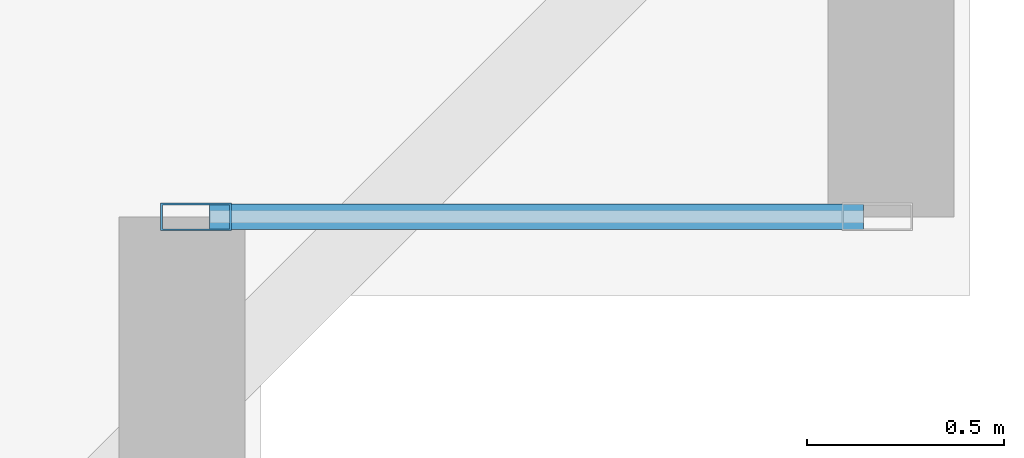
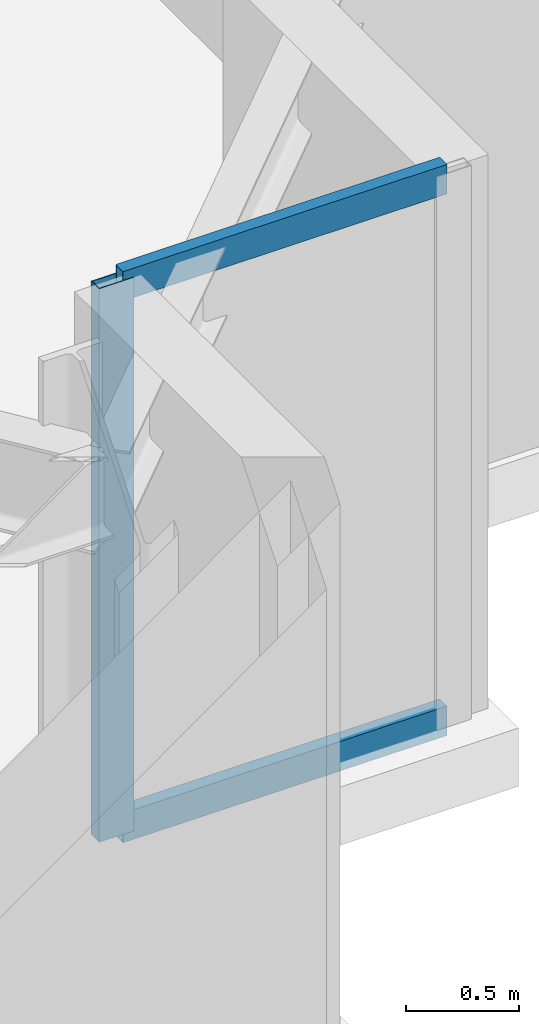
# One storey, part 6 of 20: 3 members, 1 element without a shape of its own.
"""IFC4 building model written with IfcOpenShell, lengths in metres."""

from ifc_helpers import new_model, si_unit, direction, frame, origin, origin_2d, place, context, subcontext, project, spatial, hollow_rectangle, extrude, material, layer, layer_set, material_profile, profile_set, type_object, element, aggregate, save


model = new_model("IFC4")

# Units and contexts
model_context = context("Model", 3, precision=1e-05, world=origin(), true_north=direction((0.0, 1.0)))
body_context = subcontext(model_context, "Body", "Model", "MODEL_VIEW")
ifc_project = project(units=[si_unit("LENGTHUNIT", "METRE"), si_unit("AREAUNIT", "SQUARE_METRE"), si_unit("VOLUMEUNIT", "CUBIC_METRE"), si_unit("PLANEANGLEUNIT", "RADIAN"), si_unit("MASSUNIT", "GRAM", prefix="KILO")], contexts=[model_context])

# Site, building, storey
site_placement = place(None, origin())
site = spatial("IfcSite", under=ifc_project, at=site_placement, CompositionType="ELEMENT")
building_placement = place(site_placement, origin())
building = spatial("IfcBuilding", under=site, at=building_placement, Name="Qobustan Lattice House", CompositionType="ELEMENT")
storey_placement = place(building_placement, frame((0.0, 0.0, 70.550048828125)))
storey = spatial("IfcBuildingStorey", under=building, at=storey_placement, Name="L19", CompositionType="ELEMENT", Elevation=70.550048828125)

# Curtain wall, members
ifc_material_1 = material(Name="Anodised aluminium and low-E glazing", Category="aluminium")
ifc_layer = layer(ifc_material_1, 0.219970703125)
ifc_layer_set = layer_set([ifc_layer], Name="Anodised aluminium and low-E glazing")
curtain_wall_type = type_object("IfcCurtainWallType", Name="CW-FAC-01", PredefinedType="USERDEFINED", material=ifc_layer_set)
curtain_wall_placement = place(storey_placement, origin())
curtain_wall = element("IfcCurtainWall", 1, at=curtain_wall_placement, inside=storey, type_object=curtain_wall_type, Name="L19 serrated corner faceted glazing 18", ObjectType="CURTAIN WALL", PredefinedType="USERDEFINED")
ifc_material_2 = material(Name="Anodised aluminium EN AW-6063 T6", Category="aluminium")
ifc_material_profile_1 = material_profile(ifc_material_2, hollow_rectangle(XDim=0.070068359375, YDim=0.179931640625, WallThickness=0.00439453125, at=origin_2d()), Name="CWM-180x70")
ifc_profile_set_1 = profile_set([ifc_material_profile_1], Name="Anodised aluminium EN AW-6063 T6")
member_type_1 = type_object("IfcMemberType", Name="CWM-STD-180", PredefinedType="MULLION", material=ifc_profile_set_1)
member_1_placement = place(storey_placement, frame((29.235107421875, -17.60009765625, 0.0), z_axis=(0.0, 0.0, 1.0), x_axis=(0.0, -1.0, 0.0)))
member_1 = element("IfcMember", 2, at=member_1_placement, type_object=member_type_1, Name="CW-F1 mullion 2", PredefinedType="MULLION", context=body_context, shape_type="SweptSolid", body=[
    extrude(hollow_rectangle(XDim=0.070068359375, YDim=0.179931640625, WallThickness=0.00439453125, at=origin_2d()), origin(), (0.0, 0.0, 1.0), 3.0),
])
ifc_material_3 = material(Name="Anodised aluminium EN AW-6063 T6", Category="aluminium")
ifc_material_profile_2 = material_profile(ifc_material_3, hollow_rectangle(XDim=0.06494140625, YDim=0.159912109375, WallThickness=0.00390625, at=origin_2d()), Name="CWT-160x65")
ifc_profile_set_2 = profile_set([ifc_material_profile_2], Name="Anodised aluminium EN AW-6063 T6")
member_type_2 = type_object("IfcMemberType", Name="CWT-HOR-160", PredefinedType="USERDEFINED", material=ifc_profile_set_2)
member_2_placement = place(storey_placement, frame((30.929931640625, -17.60009765625, 0.032470703125), z_axis=(-1.0, 0.0, 0.0), x_axis=(0.0, -1.0, 0.0)))
member_2 = element("IfcMember", 3, at=member_2_placement, type_object=member_type_2, Name="CW-F1 transom 1.1", ObjectType="TRANSOM", PredefinedType="USERDEFINED", context=body_context, shape_type="SweptSolid", body=[
    extrude(hollow_rectangle(XDim=0.06494140625, YDim=0.159912109375, WallThickness=0.00390625, at=origin_2d()), origin(), (0.0, 0.0, 1.0), 1.659912109375),
])
member_3_placement = place(storey_placement, frame((30.929931640625, -17.60009765625, 2.967529296875), z_axis=(-1.0, 0.0, 0.0), x_axis=(0.0, -1.0, 0.0)))
member_3 = element("IfcMember", 4, at=member_3_placement, type_object=member_type_2, Name="CW-F1 transom 1.2", ObjectType="TRANSOM", PredefinedType="USERDEFINED", context=body_context, shape_type="SweptSolid", body=[
    extrude(hollow_rectangle(XDim=0.06494140625, YDim=0.159912109375, WallThickness=0.00390625, at=origin_2d()), origin(), (0.0, 0.0, 1.0), 1.659912109375),
])
aggregate(curtain_wall, [member_1, member_2, member_3])

save(model, "model.ifc")
